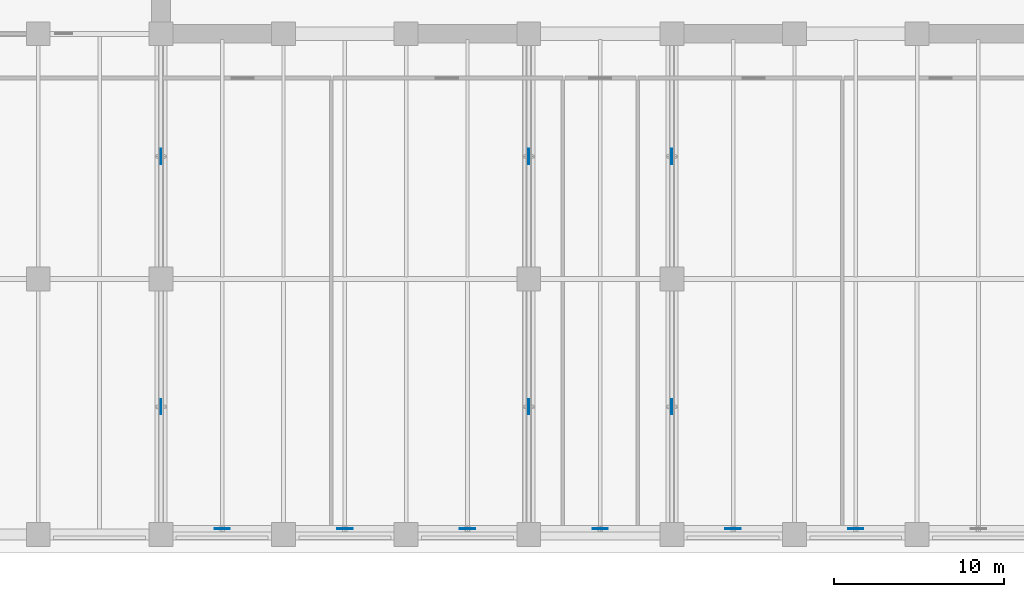
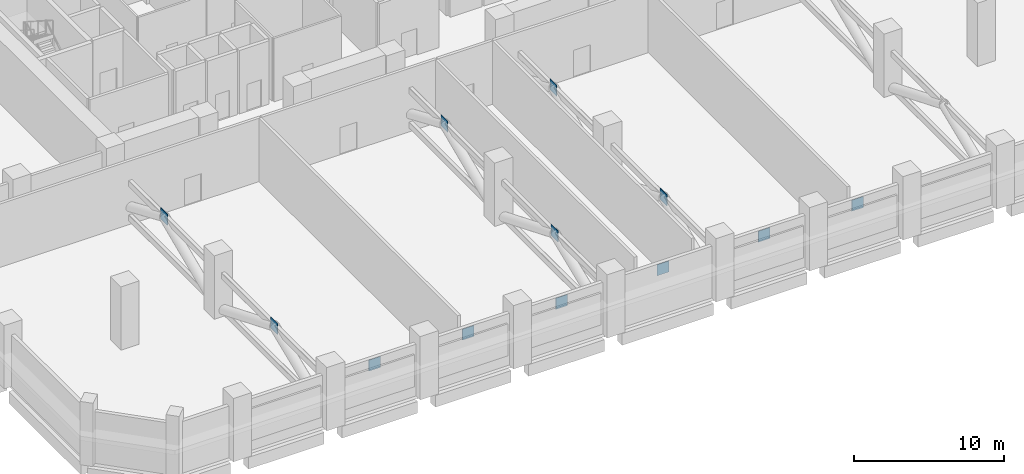
# One storey, part 4 of 15: 12 plates.
"""IFC4 building model written with IfcOpenShell, lengths in metres."""

from ifc_helpers import new_model, si_unit, direction, frame, origin, origin_2d, place, context, subcontext, project, spatial, rectangle, extrude, material, layer, layer_set, type_object, element, save


model = new_model("IFC4")

# Units and contexts
model_context = context("Model", 3, precision=1e-05, world=origin(), true_north=direction((0.0, 1.0)))
body_context = subcontext(model_context, "Body", "Model", "MODEL_VIEW")
ifc_project = project(units=[si_unit("LENGTHUNIT", "METRE"), si_unit("AREAUNIT", "SQUARE_METRE"), si_unit("VOLUMEUNIT", "CUBIC_METRE"), si_unit("PLANEANGLEUNIT", "RADIAN"), si_unit("MASSUNIT", "GRAM", prefix="KILO")], contexts=[model_context])

# Site, building, storey
site_placement = place(None, origin())
site = spatial("IfcSite", under=ifc_project, at=site_placement, CompositionType="ELEMENT")
building_placement = place(site_placement, origin())
building = spatial("IfcBuilding", under=site, at=building_placement, Name="Kaelvorn Grand Hotel", CompositionType="ELEMENT")
storey_placement = place(building_placement, frame((0.0, 0.0, 80.14990234375)))
storey = spatial("IfcBuildingStorey", under=building, at=storey_placement, Name="L18", CompositionType="ELEMENT", Elevation=80.14990234375)

# Plates
ifc_material = material(Name="Steel S460", Category="steel")
ifc_layer = layer(ifc_material, 0.0400390625)
ifc_layer_set = layer_set([ifc_layer], Name="Steel S460")
plate_type = type_object("IfcPlateType", Name="PL-GUSSET-40-S460", PredefinedType="USERDEFINED", material=ifc_layer_set)
for number, where, z_axis, x_axis, name in (
    (1, (16.199951171875, 7.5, 2.900146484375), (0.0, 0.0, 1.0), (1.0, 0.0, 0.0), "L18 Outrigger Gusset End-Cap Plate 1.1"),
    (2, (16.199951171875, 22.199951171875, 2.900146484375), (0.0, 0.0, 1.0), (1.0, 0.0, 0.0), "L18 Outrigger Gusset End-Cap Plate 1.2"),
    (3, (37.800048828125, 7.5, 2.900146484375), (0.0, 0.0, 1.0), (1.0, 0.0, 0.0), "L18 Outrigger Gusset End-Cap Plate 2.1"),
    (4, (37.800048828125, 22.199951171875, 2.900146484375), (0.0, 0.0, 1.0), (1.0, 0.0, 0.0), "L18 Outrigger Gusset End-Cap Plate 2.2"),
    (5, (46.199951171875, 7.5, 2.900146484375), (0.0, 0.0, 1.0), (1.0, 0.0, 0.0), "L18 Outrigger Gusset End-Cap Plate 3.1"),
    (6, (46.199951171875, 22.199951171875, 2.900146484375), (0.0, 0.0, 1.0), (1.0, 0.0, 0.0), "L18 Outrigger Gusset End-Cap Plate 3.2"),
):
    element("IfcPlate", number, at=place(storey_placement, frame(where, z_axis=z_axis, x_axis=x_axis)), inside=storey, type_object=plate_type, Name=name, ObjectType="GUSSET_PLATE", PredefinedType="USERDEFINED", context=body_context, shape_type="SweptSolid", body=[
        extrude(rectangle(XDim=0.0400390625, YDim=0.89990234375, at=origin_2d()), origin(), (0.0, 0.0, 1.0), 0.89990234375),
    ])
for number, where, z_axis, x_axis, name in (
    (7, (19.800048828125, 0.340087890625, 2.900146484375), (0.0, 0.0, 1.0), (1.0, 0.0, 0.0), "L18 Belt Truss Node Gusset Plate 1"),
    (8, (27.0, 0.340087890625, 2.900146484375), (0.0, 0.0, 1.0), (1.0, 0.0, 0.0), "L18 Belt Truss Node Gusset Plate 2"),
    (9, (34.199951171875, 0.340087890625, 2.900146484375), (0.0, 0.0, 1.0), (1.0, 0.0, 0.0), "L18 Belt Truss Node Gusset Plate 3"),
    (10, (42.0, 0.340087890625, 2.900146484375), (0.0, 0.0, 1.0), (1.0, 0.0, 0.0), "L18 Belt Truss Node Gusset Plate 4"),
    (11, (49.800048828125, 0.340087890625, 2.900146484375), (0.0, 0.0, 1.0), (1.0, 0.0, 0.0), "L18 Belt Truss Node Gusset Plate 5"),
    (12, (57.0, 0.340087890625, 2.900146484375), (0.0, 0.0, 1.0), (1.0, 0.0, 0.0), "L18 Belt Truss Node Gusset Plate 6"),
):
    element("IfcPlate", number, at=place(storey_placement, frame(where, z_axis=z_axis, x_axis=x_axis)), inside=storey, type_object=plate_type, Name=name, ObjectType="GUSSET_PLATE", PredefinedType="USERDEFINED", context=body_context, shape_type="SweptSolid", body=[
        extrude(rectangle(XDim=0.89990234375, YDim=0.0400390625, at=origin_2d()), origin(), (0.0, 0.0, 1.0), 0.89990234375),
    ])

save(model, "model.ifc")
